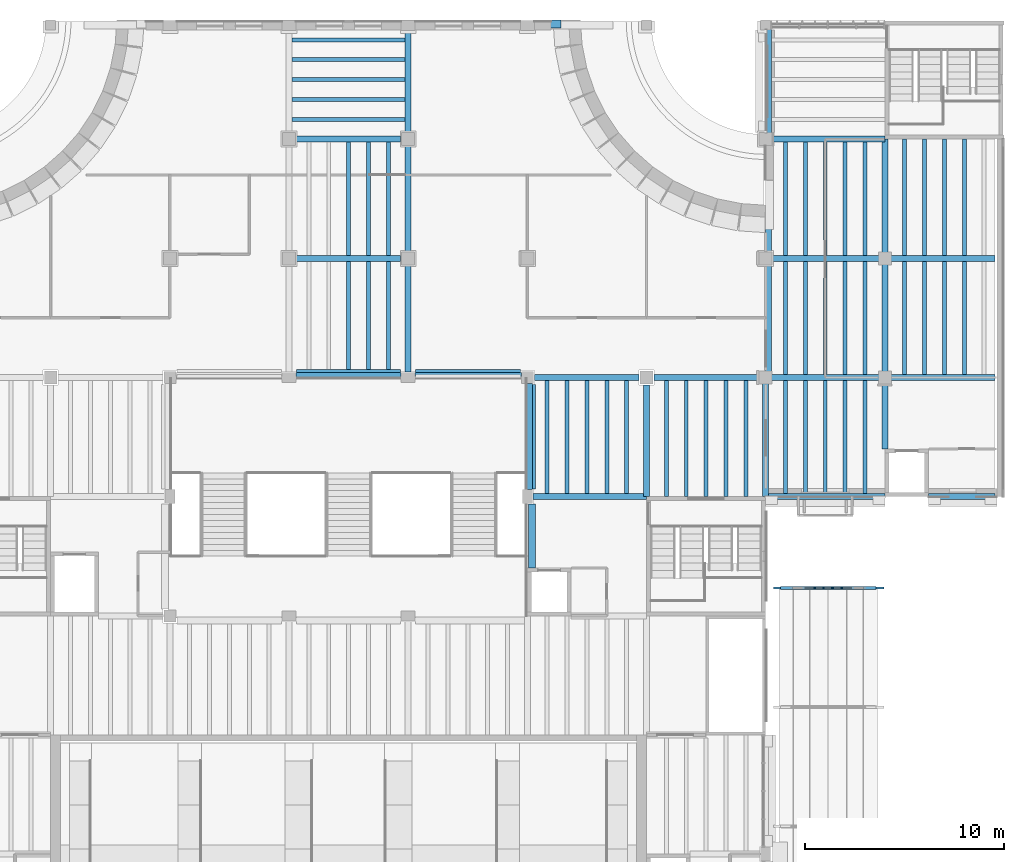
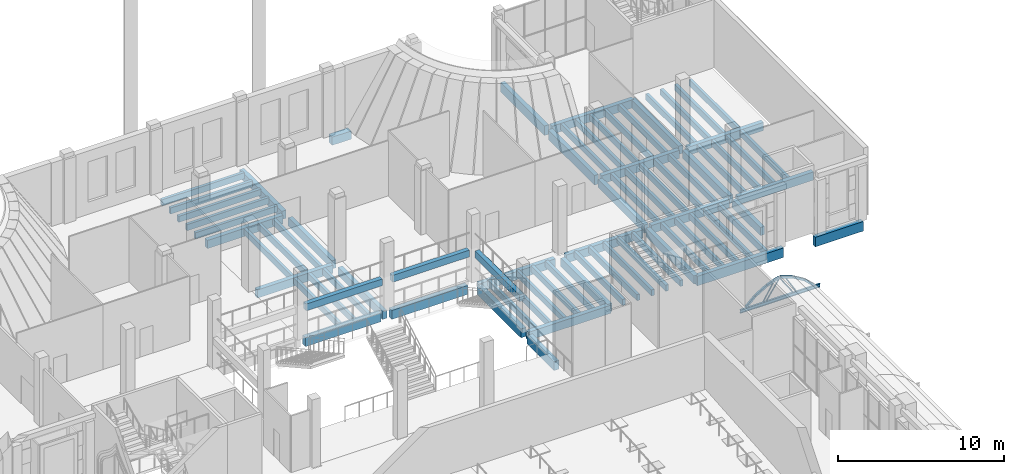
# One storey, part 26 of 80: 82 beams, 4 members.
"""IFC4 building model written with IfcOpenShell, lengths in metres."""

from ifc_helpers import new_model, si_unit, direction, frame, origin, origin_2d, place, context, subcontext, project, spatial, rectangle, hollow_rectangle, hollow_circle, i_section, extrude, material, material_profile, profile_set, type_object, element, save


model = new_model("IFC4")

# Units and contexts
model_context = context("Model", 3, precision=1e-05, world=origin(), true_north=direction((0.0, 1.0)))
body_context = subcontext(model_context, "Body", "Model", "MODEL_VIEW")
ifc_project = project(units=[si_unit("LENGTHUNIT", "METRE"), si_unit("AREAUNIT", "SQUARE_METRE"), si_unit("VOLUMEUNIT", "CUBIC_METRE"), si_unit("PLANEANGLEUNIT", "RADIAN"), si_unit("MASSUNIT", "GRAM", prefix="KILO")], contexts=[model_context])

# Site, building, storey
site_placement = place(None, origin())
site = spatial("IfcSite", under=ifc_project, at=site_placement, CompositionType="ELEMENT")
building_placement = place(site_placement, origin())
building = spatial("IfcBuilding", under=site, at=building_placement, Name="Saffron Lane Theatres", CompositionType="ELEMENT")
storey_placement = place(building_placement, frame((0.0, 0.0, 7.0)))
storey = spatial("IfcBuildingStorey", under=building, at=storey_placement, Name="L01", CompositionType="ELEMENT", Elevation=7.0)

# Beams
ifc_material_1 = material(Name="Concrete N40 (40 MPa)", Category="concrete")
ifc_material_profile_1 = material_profile(ifc_material_1, rectangle(XDim=0.300048828125, YDim=0.60009765625, at=origin_2d()))
ifc_profile_set_1 = profile_set([ifc_material_profile_1], Name="Concrete N40 (40 MPa)")
beam_type_1 = type_object("IfcBeamType", Name="RC-BEAM 300x600", PredefinedType="BEAM", material=ifc_profile_set_1)
beam_1_placement = place(storey_placement, frame((42.27490234375, 102.0, -0.550048828125), z_axis=(1.0, 0.0, 0.0), x_axis=(0.0, 1.0, 0.0)))
element("IfcBeam", 1, at=beam_1_placement, inside=storey, type_object=beam_type_1, Name="beam-L01-x1020-423", PredefinedType="BEAM", context=body_context, shape_type="SweptSolid", body=[
    extrude(rectangle(XDim=0.300048828125, YDim=0.60009765625, at=origin_2d()), origin(), (0.0, 0.0, 1.0), 5.72509765625),
])
beam_2_placement = place(storey_placement, frame((42.35009765625, 108.0, -0.64990234375), z_axis=(1.0, 0.0, 0.0), x_axis=(0.0, 1.0, 0.0)))
element("IfcBeam", 2, at=beam_2_placement, inside=storey, type_object=beam_type_1, Name="beam-L01-x1080-424", PredefinedType="BEAM", context=body_context, shape_type="SweptSolid", body=[
    extrude(rectangle(XDim=0.300048828125, YDim=0.60009765625, at=origin_2d()), origin(), (0.0, 0.0, 1.0), 5.27490234375),
])
beam_3_placement = place(storey_placement, frame((48.375, 108.0, -0.64990234375), z_axis=(1.0, 0.0, 0.0), x_axis=(0.0, 1.0, 0.0)))
element("IfcBeam", 3, at=beam_3_placement, inside=storey, type_object=beam_type_1, Name="beam-L01-x1080-484", PredefinedType="BEAM", context=body_context, shape_type="SweptSolid", body=[
    extrude(rectangle(XDim=0.300048828125, YDim=0.60009765625, at=origin_2d()), origin(), (0.0, 0.0, 1.0), 5.324951171875),
])
beam_4_placement = place(storey_placement, frame((54.300048828125, 108.0, -0.550048828125), z_axis=(1.0, 0.0, 0.0), x_axis=(0.0, 1.0, 0.0)))
element("IfcBeam", 4, at=beam_4_placement, inside=storey, type_object=beam_type_1, Name="beam-L01-x1080-543", PredefinedType="BEAM", context=body_context, shape_type="SweptSolid", body=[
    extrude(rectangle(XDim=0.300048828125, YDim=0.60009765625, at=origin_2d()), origin(), (0.0, 0.0, 1.0), 5.39990234375),
])
beam_5_placement = place(storey_placement, frame((60.300048828125, 108.0, -0.550048828125), z_axis=(1.0, 0.0, 0.0), x_axis=(0.0, 1.0, 0.0)))
element("IfcBeam", 5, at=beam_5_placement, inside=storey, type_object=beam_type_1, Name="beam-L01-x1080-603", PredefinedType="BEAM", context=body_context, shape_type="SweptSolid", body=[
    extrude(rectangle(XDim=0.300048828125, YDim=0.60009765625, at=origin_2d()), origin(), (0.0, 0.0, 1.0), 5.239990234375),
])
beam_6_placement = place(storey_placement, frame((30.375, 114.0, -0.550048828125), z_axis=(1.0, 0.0, 0.0), x_axis=(0.0, 1.0, 0.0)))
element("IfcBeam", 6, at=beam_6_placement, inside=storey, type_object=beam_type_1, Name="beam-L01-x1140-304", PredefinedType="BEAM", context=body_context, shape_type="SweptSolid", body=[
    extrude(rectangle(XDim=0.300048828125, YDim=0.60009765625, at=origin_2d()), origin(), (0.0, 0.0, 1.0), 5.25),
])
beam_7_placement = place(storey_placement, frame((54.300048828125, 114.0, -0.550048828125), z_axis=(1.0, 0.0, 0.0), x_axis=(0.0, 1.0, 0.0)))
element("IfcBeam", 7, at=beam_7_placement, inside=storey, type_object=beam_type_1, Name="beam-L01-x1140-543", PredefinedType="BEAM", context=body_context, shape_type="SweptSolid", body=[
    extrude(rectangle(XDim=0.300048828125, YDim=0.60009765625, at=origin_2d()), origin(), (0.0, 0.0, 1.0), 5.39990234375),
])
beam_8_placement = place(storey_placement, frame((60.300048828125, 114.0, -0.550048828125), z_axis=(1.0, 0.0, 0.0), x_axis=(0.0, 1.0, 0.0)))
element("IfcBeam", 8, at=beam_8_placement, inside=storey, type_object=beam_type_1, Name="beam-L01-x1140-603", PredefinedType="BEAM", context=body_context, shape_type="SweptSolid", body=[
    extrude(rectangle(XDim=0.300048828125, YDim=0.60009765625, at=origin_2d()), origin(), (0.0, 0.0, 1.0), 5.239990234375),
])
beam_9_placement = place(storey_placement, frame((30.375, 120.0, -0.550048828125), z_axis=(1.0, 0.0, 0.0), x_axis=(0.0, 1.0, 0.0)))
element("IfcBeam", 9, at=beam_9_placement, inside=storey, type_object=beam_type_1, Name="beam-L01-x1200-304", PredefinedType="BEAM", context=body_context, shape_type="SweptSolid", body=[
    extrude(rectangle(XDim=0.300048828125, YDim=0.60009765625, at=origin_2d()), origin(), (0.0, 0.0, 1.0), 5.25),
])
beam_10_placement = place(storey_placement, frame((54.300048828125, 120.0, -0.550048828125), z_axis=(1.0, 0.0, 0.0), x_axis=(0.0, 1.0, 0.0)))
element("IfcBeam", 10, at=beam_10_placement, inside=storey, type_object=beam_type_1, Name="beam-L01-x1200-543", PredefinedType="BEAM", context=body_context, shape_type="SweptSolid", body=[
    extrude(rectangle(XDim=0.300048828125, YDim=0.60009765625, at=origin_2d()), origin(), (0.0, 0.0, 1.0), 5.699951171875),
])
beam_11_placement = place(storey_placement, frame((36.0, 108.27490234375, -0.64990234375), z_axis=(0.0, 1.0, 0.0), x_axis=(-1.0, 0.0, 0.0)))
element("IfcBeam", 11, at=beam_11_placement, inside=storey, type_object=beam_type_1, Name="beam-L01-y360-1083", PredefinedType="BEAM", context=body_context, shape_type="SweptSolid", body=[
    extrude(rectangle(XDim=0.300048828125, YDim=0.60009765625, at=origin_2d()), origin(), (0.0, 0.0, 1.0), 5.35009765625),
])
beam_12_placement = place(storey_placement, frame((36.0, 114.375, -0.64990234375), z_axis=(0.0, 1.0, 0.0), x_axis=(-1.0, 0.0, 0.0)))
element("IfcBeam", 12, at=beam_12_placement, inside=storey, type_object=beam_type_1, Name="beam-L01-y360-1144", PredefinedType="BEAM", context=body_context, shape_type="SweptSolid", body=[
    extrude(rectangle(XDim=0.300048828125, YDim=0.60009765625, at=origin_2d()), origin(), (0.0, 0.0, 1.0), 5.25),
])
beam_13_placement = place(storey_placement, frame((36.0, 120.375, -0.64990234375), z_axis=(0.0, 1.0, 0.0), x_axis=(-1.0, 0.0, 0.0)))
element("IfcBeam", 13, at=beam_13_placement, inside=storey, type_object=beam_type_1, Name="beam-L01-y360-1204", PredefinedType="BEAM", context=body_context, shape_type="SweptSolid", body=[
    extrude(rectangle(XDim=0.300048828125, YDim=0.60009765625, at=origin_2d()), origin(), (0.0, 0.0, 1.0), 5.074462890625),
])
beam_14_placement = place(storey_placement, frame((48.0, 102.0, -0.550048828125), z_axis=(0.0, 1.0, 0.0), x_axis=(-1.0, 0.0, 0.0)))
element("IfcBeam", 14, at=beam_14_placement, inside=storey, type_object=beam_type_1, Name="beam-L01-y480-1020", PredefinedType="BEAM", context=body_context, shape_type="SweptSolid", body=[
    extrude(rectangle(XDim=0.300048828125, YDim=0.60009765625, at=origin_2d()), origin(), (0.0, 0.0, 1.0), 5.625),
])
beam_15_placement = place(storey_placement, frame((54.0, 102.0, -0.550048828125), z_axis=(0.0, 1.0, 0.0), x_axis=(-1.0, 0.0, 0.0)))
element("IfcBeam", 15, at=beam_15_placement, inside=storey, type_object=beam_type_1, Name="beam-L01-y540-1020", PredefinedType="BEAM", context=body_context, shape_type="SweptSolid", body=[
    extrude(rectangle(XDim=0.300048828125, YDim=0.60009765625, at=origin_2d()), origin(), (0.0, 0.0, 1.0), 5.77490234375),
])
beam_16_placement = place(storey_placement, frame((54.14990234375, 108.22509765625, -0.64990234375), z_axis=(0.0, 1.0, 0.0), x_axis=(-1.0, 0.0, 0.0)))
element("IfcBeam", 16, at=beam_16_placement, inside=storey, type_object=beam_type_1, Name="beam-L01-y540-1082", PredefinedType="BEAM", context=body_context, shape_type="SweptSolid", body=[
    extrude(rectangle(XDim=0.300048828125, YDim=0.60009765625, at=origin_2d()), origin(), (0.0, 0.0, 1.0), 5.5498046875),
])
beam_17_placement = place(storey_placement, frame((60.0, 104.39990234375, -0.550048828125), z_axis=(0.0, 1.0, 0.0), x_axis=(-1.0, 0.0, 0.0)))
element("IfcBeam", 17, at=beam_17_placement, inside=storey, type_object=beam_type_1, Name="beam-L01-y600-1044", PredefinedType="BEAM", context=body_context, shape_type="SweptSolid", body=[
    extrude(rectangle(XDim=0.300048828125, YDim=0.60009765625, at=origin_2d()), origin(), (0.0, 0.0, 1.0), 3.375),
])
beam_18_placement = place(storey_placement, frame((60.0, 108.22509765625, -0.550048828125), z_axis=(0.0, 1.0, 0.0), x_axis=(-1.0, 0.0, 0.0)))
element("IfcBeam", 18, at=beam_18_placement, inside=storey, type_object=beam_type_1, Name="beam-L01-y600-1082", PredefinedType="BEAM", context=body_context, shape_type="SweptSolid", body=[
    extrude(rectangle(XDim=0.300048828125, YDim=0.60009765625, at=origin_2d()), origin(), (0.0, 0.0, 1.0), 5.5498046875),
])
beam_19_placement = place(storey_placement, frame((60.0, 114.22509765625, -0.550048828125), z_axis=(0.0, 1.0, 0.0), x_axis=(-1.0, 0.0, 0.0)))
element("IfcBeam", 19, at=beam_19_placement, inside=storey, type_object=beam_type_1, Name="beam-L01-y600-1142", PredefinedType="BEAM", context=body_context, shape_type="SweptSolid", body=[
    extrude(rectangle(XDim=0.300048828125, YDim=0.60009765625, at=origin_2d()), origin(), (0.0, 0.0, 1.0), 5.77490234375),
])
ifc_material_2 = material(Name="Concrete N40 (40 MPa)", Category="concrete")
ifc_material_profile_2 = material_profile(ifc_material_2, rectangle(XDim=0.300048828125, YDim=0.699951171875, at=origin_2d()))
ifc_profile_set_2 = profile_set([ifc_material_profile_2], Name="Concrete N40 (40 MPa)")
beam_type_2 = type_object("IfcBeamType", Name="RC-BEAM 300x700", PredefinedType="BEAM", material=ifc_profile_set_2)
beam_20_placement = place(storey_placement, frame((54.0, 102.0, -0.60009765625), z_axis=(1.0, 0.0, 0.0), x_axis=(0.0, 1.0, 0.0)))
element("IfcBeam", 20, at=beam_20_placement, inside=storey, type_object=beam_type_2, Name="beam-L01-x1020-540", PredefinedType="BEAM", context=body_context, shape_type="SweptSolid", body=[
    extrude(rectangle(XDim=0.300048828125, YDim=0.699951171875, at=origin_2d()), origin(), (0.0, 0.0, 1.0), 6.0),
])
beam_21_placement = place(storey_placement, frame((62.199951171875, 102.0, -0.60009765625), z_axis=(1.0, 0.0, 0.0), x_axis=(0.0, 1.0, 0.0)))
element("IfcBeam", 21, at=beam_21_placement, inside=storey, type_object=beam_type_2, Name="beam-L01-x1020-622", PredefinedType="BEAM", context=body_context, shape_type="SweptSolid", body=[
    extrude(rectangle(XDim=0.300048828125, YDim=0.699951171875, at=origin_2d()), origin(), (0.0, 0.0, 1.0), 3.340087890625),
])
beam_22_placement = place(storey_placement, frame((54.14990234375, 114.22509765625, -0.699951171875), z_axis=(0.0, 1.0, 0.0), x_axis=(-1.0, 0.0, 0.0)))
element("IfcBeam", 22, at=beam_22_placement, inside=storey, type_object=beam_type_2, Name="beam-L01-y540-1142", PredefinedType="BEAM", context=body_context, shape_type="SweptSolid", body=[
    extrude(rectangle(XDim=0.300048828125, YDim=0.699951171875, at=origin_2d()), origin(), (0.0, 0.0, 1.0), 5.5498046875),
])
beam_23_placement = place(storey_placement, frame((54.14990234375, 120.22509765625, -0.699951171875), z_axis=(0.0, 1.0, 0.0), x_axis=(-1.0, 0.0, 0.0)))
element("IfcBeam", 23, at=beam_23_placement, inside=storey, type_object=beam_type_2, Name="beam-L01-y540-1202", PredefinedType="BEAM", context=body_context, shape_type="SweptSolid", body=[
    extrude(rectangle(XDim=0.300048828125, YDim=0.699951171875, at=origin_2d()), origin(), (0.0, 0.0, 1.0), 5.29931640625),
])
ifc_material_3 = material(Name="Concrete N40 (40 MPa)", Category="concrete")
ifc_material_profile_3 = material_profile(ifc_material_3, rectangle(XDim=0.35009765625, YDim=0.64990234375, at=origin_2d()))
ifc_profile_set_3 = profile_set([ifc_material_profile_3], Name="Concrete N40 (40 MPa)")
beam_type_3 = type_object("IfcBeamType", Name="RC-BEAM 350x650", PredefinedType="BEAM", material=ifc_profile_set_3)
beam_24_placement = place(storey_placement, frame((30.375, 108.235107421875, -0.574951171875), z_axis=(1.0, 0.0, 0.0), x_axis=(0.0, 1.0, 0.0)))
element("IfcBeam", 24, at=beam_24_placement, inside=storey, type_object=beam_type_3, Name="beam-L01-x1080-304", PredefinedType="BEAM", context=body_context, shape_type="SweptSolid", body=[
    extrude(rectangle(XDim=0.35009765625, YDim=0.64990234375, at=origin_2d()), origin(), (0.0, 0.0, 1.0), 5.25),
])
beam_25_placement = place(storey_placement, frame((36.375, 108.235107421875, -0.675048828125), z_axis=(1.0, 0.0, 0.0), x_axis=(0.0, 1.0, 0.0)))
element("IfcBeam", 25, at=beam_25_placement, inside=storey, type_object=beam_type_3, Name="beam-L01-x1080-364", PredefinedType="BEAM", context=body_context, shape_type="SweptSolid", body=[
    extrude(rectangle(XDim=0.35009765625, YDim=0.64990234375, at=origin_2d()), origin(), (0.0, 0.0, 1.0), 5.27490234375),
])
beam_26_placement = place(storey_placement, frame((42.235107421875, 98.39990234375, -0.574951171875), z_axis=(0.0, 1.0, 0.0), x_axis=(-1.0, 0.0, 0.0)))
element("IfcBeam", 26, at=beam_26_placement, inside=storey, type_object=beam_type_3, Name="beam-L01-y420-984", PredefinedType="BEAM", context=body_context, shape_type="SweptSolid", body=[
    extrude(rectangle(XDim=0.35009765625, YDim=0.64990234375, at=origin_2d()), origin(), (0.0, 0.0, 1.0), 3.22509765625),
])
beam_27_placement = place(storey_placement, frame((42.235107421875, 102.375, -0.574951171875), z_axis=(0.0, 1.0, 0.0), x_axis=(-1.0, 0.0, 0.0)))
element("IfcBeam", 27, at=beam_27_placement, inside=storey, type_object=beam_type_3, Name="beam-L01-y420-1024", PredefinedType="BEAM", context=body_context, shape_type="SweptSolid", body=[
    extrude(rectangle(XDim=0.35009765625, YDim=0.64990234375, at=origin_2d()), origin(), (0.0, 0.0, 1.0), 5.27490234375),
])
ifc_material_4 = material(Name="Concrete N40 (40 MPa)", Category="concrete")
ifc_material_profile_4 = material_profile(ifc_material_4, rectangle(XDim=0.39990234375, YDim=0.60009765625, at=origin_2d()))
ifc_profile_set_4 = profile_set([ifc_material_profile_4], Name="Concrete N40 (40 MPa)")
beam_type_4 = type_object("IfcBeamType", Name="RC-BEAM 400x600", PredefinedType="BEAM", material=ifc_profile_set_4)
beam_28_placement = place(storey_placement, frame((43.6904296875, 125.799560546875, -0.64990234375), z_axis=(-1.0, 0.0, 0.0), x_axis=(0.0, -1.0, 0.0)))
element("IfcBeam", 28, at=beam_28_placement, inside=storey, type_object=beam_type_4, Name="beam-L01-north-edge-NE", PredefinedType="BEAM", context=body_context, shape_type="SweptSolid", body=[
    extrude(rectangle(XDim=0.39990234375, YDim=0.60009765625, at=origin_2d()), origin(), (0.0, 0.0, 1.0), 1.34033203125),
])
ifc_material_5 = material(Name="Concrete N40 (40 MPa)", Category="concrete")
ifc_material_profile_5 = material_profile(ifc_material_5, rectangle(XDim=0.199951171875, YDim=0.449951171875, at=origin_2d()))
ifc_profile_set_5 = profile_set([ifc_material_profile_5], Name="Concrete N40 (40 MPa)")
beam_type_5 = type_object("IfcBeamType", Name="RC-JOIST 200x450", PredefinedType="JOIST", material=ifc_profile_set_5)
for number, where, z_axis, x_axis, name in (
    (29, (33.0, 108.409912109375, -0.47509765625), (0.0, 1.0, 0.0), (-1.0, 0.0, 0.0), "joist-L01-y3300-1084"),
    (30, (34.0, 108.409912109375, -0.47509765625), (0.0, 1.0, 0.0), (-1.0, 0.0, 0.0), "joist-L01-y3400-1084"),
    (31, (35.0, 108.409912109375, -0.47509765625), (0.0, 1.0, 0.0), (-1.0, 0.0, 0.0), "joist-L01-y3500-1084"),
):
    element("IfcBeam", number, at=place(storey_placement, frame(where, z_axis=z_axis, x_axis=x_axis)), inside=storey, type_object=beam_type_5, Name=name, PredefinedType="JOIST", context=body_context, shape_type="SweptSolid", body=[
        extrude(rectangle(XDim=0.199951171875, YDim=0.449951171875, at=origin_2d()), origin(), (0.0, 0.0, 1.0), 5.440185546875),
    ])
for number, where, z_axis, x_axis, name in (
    (32, (33.0, 114.14990234375, -0.47509765625), (0.0, 1.0, 0.0), (-1.0, 0.0, 0.0), "joist-L01-y3300-1142"),
    (33, (34.0, 114.14990234375, -0.47509765625), (0.0, 1.0, 0.0), (-1.0, 0.0, 0.0), "joist-L01-y3400-1142"),
    (34, (35.0, 114.14990234375, -0.47509765625), (0.0, 1.0, 0.0), (-1.0, 0.0, 0.0), "joist-L01-y3500-1142"),
    (35, (30.14990234375, 121.0, -0.47509765625), (1.0, 0.0, 0.0), (0.0, 1.0, 0.0), "joist-L01-x12100-302"),
    (36, (30.14990234375, 122.0, -0.47509765625), (1.0, 0.0, 0.0), (0.0, 1.0, 0.0), "joist-L01-x12200-302"),
    (37, (30.14990234375, 123.0, -0.47509765625), (1.0, 0.0, 0.0), (0.0, 1.0, 0.0), "joist-L01-x12300-302"),
    (38, (30.14990234375, 124.0, -0.47509765625), (1.0, 0.0, 0.0), (0.0, 1.0, 0.0), "joist-L01-x12400-302"),
    (39, (30.14990234375, 125.0, -0.47509765625), (1.0, 0.0, 0.0), (0.0, 1.0, 0.0), "joist-L01-x12500-302"),
    (40, (43.0, 102.14990234375, -0.47509765625), (0.0, 1.0, 0.0), (-1.0, 0.0, 0.0), "joist-L01-y4300-1022"),
    (41, (44.0, 102.14990234375, -0.47509765625), (0.0, 1.0, 0.0), (-1.0, 0.0, 0.0), "joist-L01-y4400-1022"),
    (42, (45.0, 102.14990234375, -0.47509765625), (0.0, 1.0, 0.0), (-1.0, 0.0, 0.0), "joist-L01-y4500-1022"),
    (43, (46.0, 102.14990234375, -0.47509765625), (0.0, 1.0, 0.0), (-1.0, 0.0, 0.0), "joist-L01-y4600-1022"),
    (44, (47.0, 102.14990234375, -0.47509765625), (0.0, 1.0, 0.0), (-1.0, 0.0, 0.0), "joist-L01-y4700-1022"),
):
    element("IfcBeam", number, at=place(storey_placement, frame(where, z_axis=z_axis, x_axis=x_axis)), inside=storey, type_object=beam_type_5, Name=name, PredefinedType="JOIST", context=body_context, shape_type="SweptSolid", body=[
        extrude(rectangle(XDim=0.199951171875, YDim=0.449951171875, at=origin_2d()), origin(), (0.0, 0.0, 1.0), 5.7001953125),
    ])
for number, where, z_axis, x_axis, name in (
    (45, (49.0, 102.0, -0.47509765625), (0.0, 1.0, 0.0), (-1.0, 0.0, 0.0), "joist-L01-y4900-1020"),
    (46, (50.0, 102.0, -0.47509765625), (0.0, 1.0, 0.0), (-1.0, 0.0, 0.0), "joist-L01-y5000-1020"),
    (47, (51.0, 102.0, -0.47509765625), (0.0, 1.0, 0.0), (-1.0, 0.0, 0.0), "joist-L01-y5100-1020"),
    (48, (52.0, 102.0, -0.47509765625), (0.0, 1.0, 0.0), (-1.0, 0.0, 0.0), "joist-L01-y5200-1020"),
    (49, (53.0, 102.0, -0.47509765625), (0.0, 1.0, 0.0), (-1.0, 0.0, 0.0), "joist-L01-y5300-1020"),
):
    element("IfcBeam", number, at=place(storey_placement, frame(where, z_axis=z_axis, x_axis=x_axis)), inside=storey, type_object=beam_type_5, Name=name, PredefinedType="JOIST", context=body_context, shape_type="SweptSolid", body=[
        extrude(rectangle(XDim=0.199951171875, YDim=0.449951171875, at=origin_2d()), origin(), (0.0, 0.0, 1.0), 5.85009765625),
    ])
for number, where, z_axis, x_axis, name in (
    (50, (55.0, 102.14990234375, -0.47509765625), (0.0, 1.0, 0.0), (-1.0, 0.0, 0.0), "joist-L01-y5500-1022"),
    (51, (56.0, 102.14990234375, -0.47509765625), (0.0, 1.0, 0.0), (-1.0, 0.0, 0.0), "joist-L01-y5600-1022"),
    (52, (57.0, 102.14990234375, -0.47509765625), (0.0, 1.0, 0.0), (-1.0, 0.0, 0.0), "joist-L01-y5700-1022"),
    (53, (58.0, 102.14990234375, -0.47509765625), (0.0, 1.0, 0.0), (-1.0, 0.0, 0.0), "joist-L01-y5800-1022"),
    (54, (59.0, 102.14990234375, -0.47509765625), (0.0, 1.0, 0.0), (-1.0, 0.0, 0.0), "joist-L01-y5900-1022"),
    (55, (55.0, 108.14990234375, -0.47509765625), (0.0, 1.0, 0.0), (-1.0, 0.0, 0.0), "joist-L01-y5500-1082"),
    (56, (56.0, 108.14990234375, -0.47509765625), (0.0, 1.0, 0.0), (-1.0, 0.0, 0.0), "joist-L01-y5600-1082"),
    (57, (57.0, 108.14990234375, -0.47509765625), (0.0, 1.0, 0.0), (-1.0, 0.0, 0.0), "joist-L01-y5700-1082"),
    (58, (58.0, 108.14990234375, -0.47509765625), (0.0, 1.0, 0.0), (-1.0, 0.0, 0.0), "joist-L01-y5800-1082"),
    (59, (59.0, 108.14990234375, -0.47509765625), (0.0, 1.0, 0.0), (-1.0, 0.0, 0.0), "joist-L01-y5900-1082"),
    (60, (55.0, 114.14990234375, -0.47509765625), (0.0, 1.0, 0.0), (-1.0, 0.0, 0.0), "joist-L01-y5500-1142"),
    (61, (56.0, 114.14990234375, -0.47509765625), (0.0, 1.0, 0.0), (-1.0, 0.0, 0.0), "joist-L01-y5600-1142"),
    (62, (57.0, 114.14990234375, -0.47509765625), (0.0, 1.0, 0.0), (-1.0, 0.0, 0.0), "joist-L01-y5700-1142"),
    (63, (58.0, 114.14990234375, -0.47509765625), (0.0, 1.0, 0.0), (-1.0, 0.0, 0.0), "joist-L01-y5800-1142"),
    (64, (59.0, 114.14990234375, -0.47509765625), (0.0, 1.0, 0.0), (-1.0, 0.0, 0.0), "joist-L01-y5900-1142"),
    (65, (61.0, 108.14990234375, -0.47509765625), (0.0, 1.0, 0.0), (-1.0, 0.0, 0.0), "joist-L01-y6100-1082"),
    (66, (62.0, 108.14990234375, -0.47509765625), (0.0, 1.0, 0.0), (-1.0, 0.0, 0.0), "joist-L01-y6200-1082"),
    (67, (63.0, 108.14990234375, -0.47509765625), (0.0, 1.0, 0.0), (-1.0, 0.0, 0.0), "joist-L01-y6300-1082"),
    (68, (64.0, 108.14990234375, -0.47509765625), (0.0, 1.0, 0.0), (-1.0, 0.0, 0.0), "joist-L01-y6400-1082"),
):
    element("IfcBeam", number, at=place(storey_placement, frame(where, z_axis=z_axis, x_axis=x_axis)), inside=storey, type_object=beam_type_5, Name=name, PredefinedType="JOIST", context=body_context, shape_type="SweptSolid", body=[
        extrude(rectangle(XDim=0.199951171875, YDim=0.449951171875, at=origin_2d()), origin(), (0.0, 0.0, 1.0), 5.7001953125),
    ])
for number, where, z_axis, x_axis, name in (
    (69, (61.0, 114.14990234375, -0.47509765625), (0.0, 1.0, 0.0), (-1.0, 0.0, 0.0), "joist-L01-y6100-1142"),
    (70, (62.0, 114.14990234375, -0.47509765625), (0.0, 1.0, 0.0), (-1.0, 0.0, 0.0), "joist-L01-y6200-1142"),
    (71, (63.0, 114.14990234375, -0.47509765625), (0.0, 1.0, 0.0), (-1.0, 0.0, 0.0), "joist-L01-y6300-1142"),
    (72, (64.0, 114.14990234375, -0.47509765625), (0.0, 1.0, 0.0), (-1.0, 0.0, 0.0), "joist-L01-y6400-1142"),
):
    element("IfcBeam", number, at=place(storey_placement, frame(where, z_axis=z_axis, x_axis=x_axis)), inside=storey, type_object=beam_type_5, Name=name, PredefinedType="JOIST", context=body_context, shape_type="SweptSolid", body=[
        extrude(rectangle(XDim=0.199951171875, YDim=0.449951171875, at=origin_2d()), origin(), (0.0, 0.0, 1.0), 5.85009765625),
    ])
ifc_material_6 = material(Name="Steel Grade 350", Category="steel")
ifc_material_profile_6 = material_profile(ifc_material_6, i_section(OverallWidth=0.1240234375, OverallDepth=0.248046875, WebThickness=0.0048828125, FlangeThickness=0.008056640625, FilletRadius=0.011962890625, at=origin_2d()))
ifc_profile_set_6 = profile_set([ifc_material_profile_6], Name="Steel Grade 350")
beam_type_6 = type_object("IfcBeamType", Name="ST-CANOPY BEAM 250UB25.7", PredefinedType="BEAM", material=ifc_profile_set_6)
beam_29_placement = place(storey_placement, frame((54.39990234375, 97.39990234375, -0.25390625), z_axis=(1.0, 0.0, 0.0), x_axis=(0.0, 1.0, 0.0)))
element("IfcBeam", 73, at=beam_29_placement, inside=storey, type_object=beam_type_6, Name="CB12", PredefinedType="BEAM", context=body_context, shape_type="SweptSolid", body=[
    extrude(i_section(OverallWidth=0.1240234375, OverallDepth=0.248046875, WebThickness=0.0048828125, FlangeThickness=0.008056640625, FilletRadius=0.011962890625, at=origin_2d()), origin(), (0.0, 0.0, 1.0), 5.550048828125),
])
ifc_material_7 = material(Name="Steel Grade 350", Category="steel")
ifc_material_profile_7 = material_profile(ifc_material_7, hollow_rectangle(XDim=0.14990234375, YDim=0.14990234375, WallThickness=0.009033203125, InnerFilletRadius=0.00439453125, OuterFilletRadius=0.013427734375, at=origin_2d()))
ifc_profile_set_7 = profile_set([ifc_material_profile_7], Name="Steel Grade 350")
beam_type_7 = type_object("IfcBeamType", Name="ST-PORTAL RIB 150x150x9 SHS", PredefinedType="USERDEFINED", material=ifc_profile_set_7)
beam_30_placement = place(storey_placement, frame((54.807861328125, 97.39990234375, -0.075439453125), z_axis=(0.727908671932, 0.0, 0.685674095563), x_axis=(0.0, 1.0, 0.0)))
element("IfcBeam", 74, at=beam_30_placement, inside=storey, type_object=beam_type_7, Name="PR12A", ObjectType="PORTAL RIB", PredefinedType="USERDEFINED", context=body_context, shape_type="SweptSolid", body=[
    extrude(hollow_rectangle(XDim=0.14990234375, YDim=0.14990234375, WallThickness=0.009033203125, InnerFilletRadius=0.00439453125, OuterFilletRadius=0.013427734375, at=origin_2d()), origin(), (0.0, 0.0, 1.0), 0.861328125),
])
beam_31_placement = place(storey_placement, frame((55.447509765625, 97.39990234375, 0.52490234375), z_axis=(0.85587209681, 0.0, 0.517187542292), x_axis=(0.0, 1.0, 0.0)))
element("IfcBeam", 75, at=beam_31_placement, inside=storey, type_object=beam_type_7, Name="PR12B", ObjectType="PORTAL RIB", PredefinedType="USERDEFINED", context=body_context, shape_type="SweptSolid", body=[
    extrude(hollow_rectangle(XDim=0.14990234375, YDim=0.14990234375, WallThickness=0.009033203125, InnerFilletRadius=0.00439453125, OuterFilletRadius=0.013427734375, at=origin_2d()), origin(), (0.0, 0.0, 1.0), 0.932861328125),
])
beam_32_placement = place(storey_placement, frame((56.26025390625, 97.39990234375, 1.013916015625), z_axis=(0.945625061325, 0.0, 0.325258733001), x_axis=(0.0, 1.0, 0.0)))
element("IfcBeam", 76, at=beam_32_placement, inside=storey, type_object=beam_type_7, Name="PR12C", ObjectType="PORTAL RIB", PredefinedType="USERDEFINED", context=body_context, shape_type="SweptSolid", body=[
    extrude(hollow_rectangle(XDim=0.14990234375, YDim=0.14990234375, WallThickness=0.009033203125, InnerFilletRadius=0.00439453125, OuterFilletRadius=0.013427734375, at=origin_2d()), origin(), (0.0, 0.0, 1.0), 0.9150390625),
])
beam_33_placement = place(storey_placement, frame((57.17431640625, 97.39990234375, 1.3115234375), z_axis=(0.945653278846, 0.0, -0.325176684602), x_axis=(0.0, 1.0, 0.0)))
element("IfcBeam", 77, at=beam_33_placement, inside=storey, type_object=beam_type_7, Name="PR12D", ObjectType="PORTAL RIB", PredefinedType="USERDEFINED", context=body_context, shape_type="SweptSolid", body=[
    extrude(hollow_rectangle(XDim=0.14990234375, YDim=0.14990234375, WallThickness=0.009033203125, InnerFilletRadius=0.00439453125, OuterFilletRadius=0.013427734375, at=origin_2d()), origin(), (0.0, 0.0, 1.0), 0.915283203125),
])
beam_34_placement = place(storey_placement, frame((58.05419921875, 97.39990234375, 1.00732421875), z_axis=(0.85587209681, 0.0, -0.517187542292), x_axis=(0.0, 1.0, 0.0)))
element("IfcBeam", 78, at=beam_34_placement, inside=storey, type_object=beam_type_7, Name="PR12E", ObjectType="PORTAL RIB", PredefinedType="USERDEFINED", context=body_context, shape_type="SweptSolid", body=[
    extrude(hollow_rectangle(XDim=0.14990234375, YDim=0.14990234375, WallThickness=0.009033203125, InnerFilletRadius=0.00439453125, OuterFilletRadius=0.013427734375, at=origin_2d()), origin(), (0.0, 0.0, 1.0), 0.932861328125),
])
beam_35_placement = place(storey_placement, frame((58.865234375, 97.39990234375, 0.51513671875), z_axis=(0.727908671932, 0.0, -0.685674095563), x_axis=(0.0, 1.0, 0.0)))
element("IfcBeam", 79, at=beam_35_placement, inside=storey, type_object=beam_type_7, Name="PR12F", ObjectType="PORTAL RIB", PredefinedType="USERDEFINED", context=body_context, shape_type="SweptSolid", body=[
    extrude(hollow_rectangle(XDim=0.14990234375, YDim=0.14990234375, WallThickness=0.009033203125, InnerFilletRadius=0.00439453125, OuterFilletRadius=0.013427734375, at=origin_2d()), origin(), (0.0, 0.0, 1.0), 0.861328125),
])

# Members
ifc_material_8 = material(Name="Steel Grade 350", Category="steel")
ifc_material_profile_8 = material_profile(ifc_material_8, hollow_circle(Radius=0.04443359375, WallThickness=0.005859375, at=origin_2d()))
ifc_profile_set_8 = profile_set([ifc_material_profile_8], Name="Steel Grade 350")
member_type = type_object("IfcMemberType", Name="ST-VAULT BRACE 88.9x5.9 CHS", PredefinedType="BRACE", material=ifc_profile_set_8)
member_1_placement = place(storey_placement, frame((56.009033203125, 97.39990234375, -0.107177734375), z_axis=(0.512121126852, 0.0, 0.858913238594), x_axis=(0.0, 1.0, 0.0)))
element("IfcMember", 80, at=member_1_placement, inside=storey, type_object=member_type, Name="PS12-2", PredefinedType="BRACE", context=body_context, shape_type="SweptSolid", body=[
    extrude(hollow_circle(Radius=0.04443359375, WallThickness=0.005859375, at=origin_2d()), origin(), (0.0, 0.0, 1.0), 1.3466796875),
])
member_2_placement = place(storey_placement, frame((58.291015625, 97.39990234375, -0.107177734375), z_axis=(-0.512254845616, 0.0, 0.858833495587), x_axis=(0.0, -1.0, 0.0)))
element("IfcMember", 81, at=member_2_placement, inside=storey, type_object=member_type, Name="PS12-3", PredefinedType="BRACE", context=body_context, shape_type="SweptSolid", body=[
    extrude(hollow_circle(Radius=0.04443359375, WallThickness=0.005859375, at=origin_2d()), origin(), (0.0, 0.0, 1.0), 1.346923828125),
])
member_3_placement = place(storey_placement, frame((56.234619140625, 97.39990234375, -0.10498046875), z_axis=(0.561229138004, 0.0, 0.827660470637), x_axis=(0.0, 1.0, 0.0)))
element("IfcMember", 82, at=member_3_placement, inside=storey, type_object=member_type, Name="PA12-1", PredefinedType="BRACE", context=body_context, shape_type="SweptSolid", body=[
    extrude(hollow_circle(Radius=0.04443359375, WallThickness=0.005859375, at=origin_2d()), origin(), (0.0, 0.0, 1.0), 1.600830078125),
])
member_4_placement = place(storey_placement, frame((58.065185546875, 97.39990234375, -0.10498046875), z_axis=(-0.561124653333, 0.0, 0.827731311128), x_axis=(0.0, -1.0, 0.0)))
element("IfcMember", 83, at=member_4_placement, inside=storey, type_object=member_type, Name="PA12-2", PredefinedType="BRACE", context=body_context, shape_type="SweptSolid", body=[
    extrude(hollow_circle(Radius=0.04443359375, WallThickness=0.005859375, at=origin_2d()), origin(), (0.0, 0.0, 1.0), 1.6005859375),
])

# Beams
ifc_material_9 = material(Name="Concrete N40 (40 MPa)", Category="concrete")
ifc_material_profile_9 = material_profile(ifc_material_9, rectangle(XDim=0.300048828125, YDim=0.5, at=origin_2d()))
ifc_profile_set_9 = profile_set([ifc_material_profile_9], Name="Concrete N40 (40 MPa)")
beam_type_8 = type_object("IfcBeamType", Name="VC-LANDING BEAM 300x500", PredefinedType="BEAM", material=ifc_profile_set_9)
beam_36_placement = place(storey_placement, frame((42.10009765625, 102.35009765625, 2.050048828125), z_axis=(0.0, 1.0, 0.0), x_axis=(-1.0, 0.0, 0.0)))
element("IfcBeam", 84, at=beam_36_placement, inside=storey, type_object=beam_type_8, Name="Landing beam 7", PredefinedType="BEAM", context=body_context, shape_type="SweptSolid", body=[
    extrude(rectangle(XDim=0.300048828125, YDim=0.5, at=origin_2d()), origin(), (0.0, 0.0, 1.0), 5.349853515625),
])
beam_37_placement = place(storey_placement, frame((30.35009765625, 108.10009765625, 2.050048828125), z_axis=(1.0, 0.0, 0.0), x_axis=(0.0, 1.0, 0.0)))
element("IfcBeam", 85, at=beam_37_placement, inside=storey, type_object=beam_type_8, Name="Landing beam 9", PredefinedType="BEAM", context=body_context, shape_type="SweptSolid", body=[
    extrude(rectangle(XDim=0.300048828125, YDim=0.5, at=origin_2d()), origin(), (0.0, 0.0, 1.0), 5.2998046875),
])
beam_38_placement = place(storey_placement, frame((36.35009765625, 108.10009765625, 2.050048828125), z_axis=(1.0, 0.0, 0.0), x_axis=(0.0, 1.0, 0.0)))
element("IfcBeam", 86, at=beam_38_placement, inside=storey, type_object=beam_type_8, Name="Landing beam 10", PredefinedType="BEAM", context=body_context, shape_type="SweptSolid", body=[
    extrude(rectangle(XDim=0.300048828125, YDim=0.5, at=origin_2d()), origin(), (0.0, 0.0, 1.0), 5.349853515625),
])

save(model, "model.ifc")
